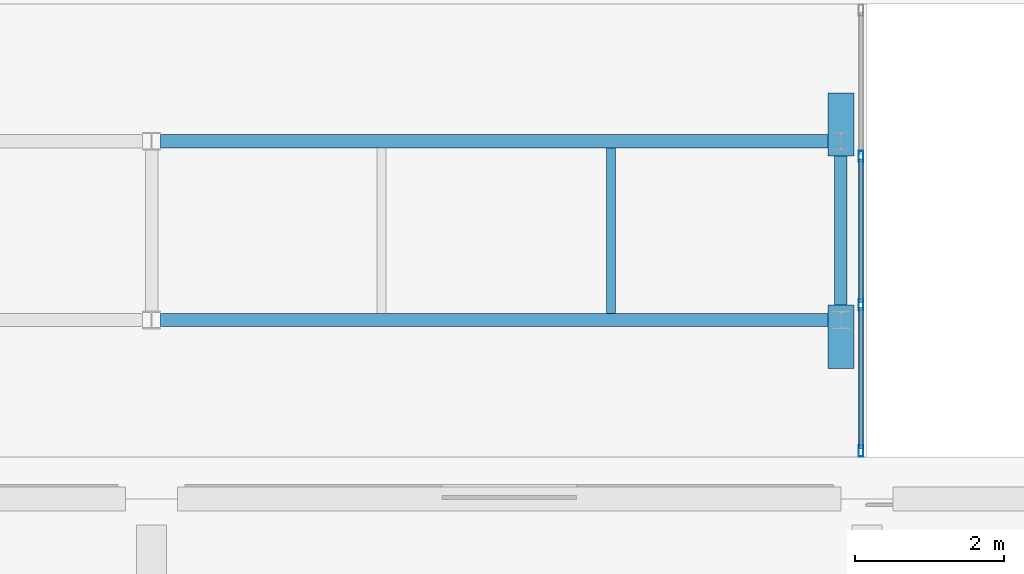
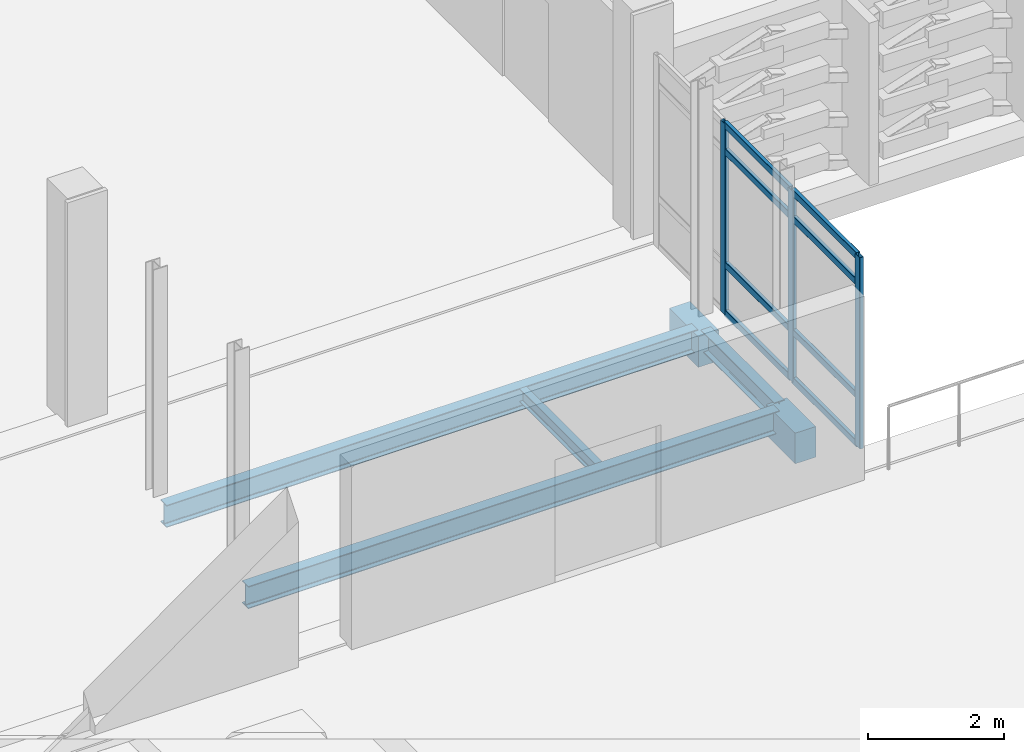
# One storey, part 8 of 134: 11 members, 6 beams, 1 element without a shape of its own.
"""IFC4 building model written with IfcOpenShell, lengths in metres."""

from ifc_helpers import new_model, si_unit, direction, frame, origin, origin_2d, place, context, subcontext, project, spatial, rectangle, hollow_rectangle, i_section, extrude, material, layer, layer_set, material_profile, profile_set, type_object, element, aggregate, save


model = new_model("IFC4")

# Units and contexts
model_context = context("Model", 3, precision=1e-05, world=origin(), true_north=direction((0.0, 1.0)))
body_context = subcontext(model_context, "Body", "Model", "MODEL_VIEW")
ifc_project = project(units=[si_unit("LENGTHUNIT", "METRE"), si_unit("AREAUNIT", "SQUARE_METRE"), si_unit("VOLUMEUNIT", "CUBIC_METRE"), si_unit("PLANEANGLEUNIT", "RADIAN"), si_unit("MASSUNIT", "GRAM", prefix="KILO")], contexts=[model_context])

# Site, building, storey
site_placement = place(None, origin())
site = spatial("IfcSite", under=ifc_project, at=site_placement, CompositionType="ELEMENT")
building_placement = place(site_placement, origin())
building = spatial("IfcBuilding", under=site, at=building_placement, Name="Asteropetra Specialist Clinic", CompositionType="ELEMENT")
storey_placement = place(building_placement, frame((0.0, 0.0, 8.5)))
storey = spatial("IfcBuildingStorey", under=building, at=storey_placement, Name="L02", CompositionType="ELEMENT", Elevation=8.5)

# Beams
ifc_material_1 = material(Name="Concrete C35/45", Category="concrete")
ifc_material_profile_1 = material_profile(ifc_material_1, rectangle(XDim=0.35009765625, YDim=0.550048828125, at=origin_2d()), Name="RCB 350x550")
ifc_profile_set_1 = profile_set([ifc_material_profile_1], Name="Concrete C35/45")
beam_type_1 = type_object("IfcBeamType", Name="BM-RC350x550", PredefinedType="BEAM", material=ifc_profile_set_1)
for number, where, z_axis, x_axis, name in (
    (1, (28.449951171875, 29.0, -0.56005859375), (0.0, -1.0, 0.0), (1.0, 0.0, 0.0), "Bridge Bearing Seat Corbel CRB-07"),
    (2, (28.449951171875, 31.0, -0.56005859375), (0.0, 1.0, 0.0), (-1.0, 0.0, 0.0), "Bridge Bearing Seat Corbel CRB-08"),
):
    element("IfcBeam", number, at=place(storey_placement, frame(where, z_axis=z_axis, x_axis=x_axis)), inside=storey, type_object=beam_type_1, Name=name, PredefinedType="BEAM", context=body_context, shape_type="SweptSolid", body=[
        extrude(rectangle(XDim=0.35009765625, YDim=0.550048828125, at=origin_2d()), origin(), (0.0, 0.0, 1.0), 0.85009765625),
    ])
ifc_material_2 = material(Name="Steel S355", Category="steel")
ifc_material_profile_2 = material_profile(ifc_material_2, i_section(OverallWidth=0.169921875, OverallDepth=0.360107421875, WebThickness=0.008056640625, FlangeThickness=0.0126953125, FilletRadius=0.01806640625, at=origin_2d()), Name="IPE 360")
ifc_profile_set_2 = profile_set([ifc_material_profile_2], Name="Steel S355")
beam_type_2 = type_object("IfcBeamType", Name="BM-STL-IPE360", PredefinedType="BEAM", material=ifc_profile_set_2)
beam_1_placement = place(storey_placement, frame((28.449951171875, 28.919921875, -0.419921875), z_axis=(0.0, 1.0, 0.0), x_axis=(-1.0, 0.0, 0.0)))
element("IfcBeam", 3, at=beam_1_placement, inside=storey, type_object=beam_type_2, Name="Beam BBMS4-1338", PredefinedType="BEAM", context=body_context, shape_type="SweptSolid", body=[
    extrude(i_section(OverallWidth=0.169921875, OverallDepth=0.360107421875, WebThickness=0.008056640625, FlangeThickness=0.0126953125, FilletRadius=0.01806640625, at=origin_2d()), origin(), (0.0, 0.0, 1.0), 2.16015625),
])
ifc_material_3 = material(Name="Steel S355", Category="steel")
ifc_material_profile_3 = material_profile(ifc_material_3, i_section(OverallWidth=0.179931640625, OverallDepth=0.39990234375, WebThickness=0.008544921875, FlangeThickness=0.013427734375, FilletRadius=0.02099609375, at=origin_2d()), Name="IPE 400")
ifc_profile_set_3 = profile_set([ifc_material_profile_3], Name="Steel S355")
beam_type_3 = type_object("IfcBeamType", Name="BM-STL-IPE400", PredefinedType="BEAM", material=ifc_profile_set_3)
for number, where, z_axis, x_axis, name in (
    (4, (19.320068359375, 28.800048828125, -0.43994140625), (1.0, 0.0, 0.0), (0.0, 1.0, 0.0), "Beam BBMS3-1333"),
    (5, (19.320068359375, 31.199951171875, -0.43994140625), (1.0, 0.0, 0.0), (0.0, 1.0, 0.0), "Beam BBMS3-1335"),
):
    element("IfcBeam", number, at=place(storey_placement, frame(where, z_axis=z_axis, x_axis=x_axis)), inside=storey, type_object=beam_type_3, Name=name, PredefinedType="BEAM", context=body_context, shape_type="SweptSolid", body=[
        extrude(i_section(OverallWidth=0.179931640625, OverallDepth=0.39990234375, WebThickness=0.008544921875, FlangeThickness=0.013427734375, FilletRadius=0.02099609375, at=origin_2d()), origin(), (0.0, 0.0, 1.0), 9.010009765625),
    ])

# Curtain wall, members
ifc_material_4 = material(Name="Aluminium and low-E glass", Category="aluminium")
ifc_layer = layer(ifc_material_4, 0.14990234375)
ifc_layer_set = layer_set([ifc_layer], Name="Aluminium and low-E glass")
curtain_wall_type = type_object("IfcCurtainWallType", Name="CW-SYS-08", PredefinedType="USERDEFINED", material=ifc_layer_set)
curtain_wall_placement = place(storey_placement, origin())
curtain_wall = element("IfcCurtainWall", 6, at=curtain_wall_placement, inside=storey, type_object=curtain_wall_type, Name="Curtain Wall CW-100", ObjectType="STICK GLAZED COLONNADE", PredefinedType="USERDEFINED")
ifc_material_5 = material(Name="Aluminium 6063-T6", Category="aluminium")
ifc_material_profile_4 = material_profile(ifc_material_5, hollow_rectangle(XDim=0.06494140625, YDim=0.14990234375, WallThickness=0.00390625, InnerFilletRadius=0.00390625, OuterFilletRadius=0.008056640625, at=origin_2d()), Name="MUL 150x65x4.0")
ifc_profile_set_4 = profile_set([ifc_material_profile_4], Name="Aluminium 6063-T6")
member_type_1 = type_object("IfcMemberType", Name="CWM-150x65", PredefinedType="MULLION", material=ifc_profile_set_4)
member_1_placement = place(storey_placement, frame((28.719970703125, 30.99658203125, 0.0), z_axis=(0.0, 0.0, 1.0), x_axis=(1.0, 0.0, 0.0)))
member_1 = element("IfcMember", 7, at=member_1_placement, type_object=member_type_1, Name="CW-100 mullion 2", PredefinedType="MULLION", context=body_context, shape_type="SweptSolid", body=[
    extrude(hollow_rectangle(XDim=0.06494140625, YDim=0.14990234375, WallThickness=0.00390625, InnerFilletRadius=0.00390625, OuterFilletRadius=0.008056640625, at=origin_2d()), origin(), (0.0, 0.0, 1.0), 3.429931640625),
])
member_2_placement = place(storey_placement, frame((28.719970703125, 29.00341796875, 0.0), z_axis=(0.0, 0.0, 1.0), x_axis=(1.0, 0.0, 0.0)))
member_2 = element("IfcMember", 8, at=member_2_placement, type_object=member_type_1, Name="CW-100 mullion 3", PredefinedType="MULLION", context=body_context, shape_type="SweptSolid", body=[
    extrude(hollow_rectangle(XDim=0.06494140625, YDim=0.14990234375, WallThickness=0.00390625, InnerFilletRadius=0.00390625, OuterFilletRadius=0.008056640625, at=origin_2d()), origin(), (0.0, 0.0, 1.0), 3.429931640625),
])
member_3_placement = place(storey_placement, frame((28.719970703125, 27.04248046875, 0.0), z_axis=(0.0, 0.0, 1.0), x_axis=(1.0, 0.0, 0.0)))
member_3 = element("IfcMember", 9, at=member_3_placement, type_object=member_type_1, Name="CW-100 mullion 4", PredefinedType="MULLION", context=body_context, shape_type="SweptSolid", body=[
    extrude(hollow_rectangle(XDim=0.06494140625, YDim=0.14990234375, WallThickness=0.00390625, InnerFilletRadius=0.00390625, OuterFilletRadius=0.008056640625, at=origin_2d()), origin(), (0.0, 0.0, 1.0), 3.429931640625),
])
ifc_material_6 = material(Name="Aluminium 6063-T6", Category="aluminium")
ifc_material_profile_5 = material_profile(ifc_material_6, hollow_rectangle(XDim=0.06494140625, YDim=0.1201171875, WallThickness=0.00390625, InnerFilletRadius=0.00390625, OuterFilletRadius=0.008056640625, at=origin_2d()), Name="TRN 120x65x4.0")
ifc_profile_set_5 = profile_set([ifc_material_profile_5], Name="Aluminium 6063-T6")
member_type_2 = type_object("IfcMemberType", Name="CWT-120x65", PredefinedType="USERDEFINED", material=ifc_profile_set_5)
member_4_placement = place(storey_placement, frame((28.719970703125, 30.964111328125, 0.032470703125), z_axis=(0.0, -1.0, 0.0), x_axis=(1.0, 0.0, 0.0)))
member_4 = element("IfcMember", 10, at=member_4_placement, type_object=member_type_2, Name="CW-100 transom 2.1", ObjectType="TRANSOM", PredefinedType="USERDEFINED", context=body_context, shape_type="SweptSolid", body=[
    extrude(hollow_rectangle(XDim=0.06494140625, YDim=0.1201171875, WallThickness=0.00390625, InnerFilletRadius=0.00390625, OuterFilletRadius=0.008056640625, at=origin_2d()), origin(), (0.0, 0.0, 1.0), 1.92822265625),
])
member_5_placement = place(storey_placement, frame((28.719970703125, 30.964111328125, 0.89990234375), z_axis=(0.0, -1.0, 0.0), x_axis=(1.0, 0.0, 0.0)))
member_5 = element("IfcMember", 11, at=member_5_placement, type_object=member_type_2, Name="CW-100 transom 2.2", ObjectType="TRANSOM", PredefinedType="USERDEFINED", context=body_context, shape_type="SweptSolid", body=[
    extrude(hollow_rectangle(XDim=0.06494140625, YDim=0.1201171875, WallThickness=0.00390625, InnerFilletRadius=0.00390625, OuterFilletRadius=0.008056640625, at=origin_2d()), origin(), (0.0, 0.0, 1.0), 1.92822265625),
])
member_6_placement = place(storey_placement, frame((28.719970703125, 30.964111328125, 2.929931640625), z_axis=(0.0, -1.0, 0.0), x_axis=(1.0, 0.0, 0.0)))
member_6 = element("IfcMember", 12, at=member_6_placement, type_object=member_type_2, Name="CW-100 transom 2.3", ObjectType="TRANSOM", PredefinedType="USERDEFINED", context=body_context, shape_type="SweptSolid", body=[
    extrude(hollow_rectangle(XDim=0.06494140625, YDim=0.1201171875, WallThickness=0.00390625, InnerFilletRadius=0.00390625, OuterFilletRadius=0.008056640625, at=origin_2d()), origin(), (0.0, 0.0, 1.0), 1.92822265625),
])
member_7_placement = place(storey_placement, frame((28.719970703125, 30.964111328125, 3.3974609375), z_axis=(0.0, -1.0, 0.0), x_axis=(1.0, 0.0, 0.0)))
member_7 = element("IfcMember", 13, at=member_7_placement, type_object=member_type_2, Name="CW-100 transom 2.4", ObjectType="TRANSOM", PredefinedType="USERDEFINED", context=body_context, shape_type="SweptSolid", body=[
    extrude(hollow_rectangle(XDim=0.06494140625, YDim=0.1201171875, WallThickness=0.00390625, InnerFilletRadius=0.00390625, OuterFilletRadius=0.008056640625, at=origin_2d()), origin(), (0.0, 0.0, 1.0), 1.92822265625),
])
member_8_placement = place(storey_placement, frame((28.719970703125, 28.970947265625, 0.032470703125), z_axis=(0.0, -1.0, 0.0), x_axis=(1.0, 0.0, 0.0)))
member_8 = element("IfcMember", 14, at=member_8_placement, type_object=member_type_2, Name="CW-100 transom 3.1", ObjectType="TRANSOM", PredefinedType="USERDEFINED", context=body_context, shape_type="SweptSolid", body=[
    extrude(hollow_rectangle(XDim=0.06494140625, YDim=0.1201171875, WallThickness=0.00390625, InnerFilletRadius=0.00390625, OuterFilletRadius=0.008056640625, at=origin_2d()), origin(), (0.0, 0.0, 1.0), 1.89599609375),
])
member_9_placement = place(storey_placement, frame((28.719970703125, 28.970947265625, 0.89990234375), z_axis=(0.0, -1.0, 0.0), x_axis=(1.0, 0.0, 0.0)))
member_9 = element("IfcMember", 15, at=member_9_placement, type_object=member_type_2, Name="CW-100 transom 3.2", ObjectType="TRANSOM", PredefinedType="USERDEFINED", context=body_context, shape_type="SweptSolid", body=[
    extrude(hollow_rectangle(XDim=0.06494140625, YDim=0.1201171875, WallThickness=0.00390625, InnerFilletRadius=0.00390625, OuterFilletRadius=0.008056640625, at=origin_2d()), origin(), (0.0, 0.0, 1.0), 1.89599609375),
])
member_10_placement = place(storey_placement, frame((28.719970703125, 28.970947265625, 2.929931640625), z_axis=(0.0, -1.0, 0.0), x_axis=(1.0, 0.0, 0.0)))
member_10 = element("IfcMember", 16, at=member_10_placement, type_object=member_type_2, Name="CW-100 transom 3.3", ObjectType="TRANSOM", PredefinedType="USERDEFINED", context=body_context, shape_type="SweptSolid", body=[
    extrude(hollow_rectangle(XDim=0.06494140625, YDim=0.1201171875, WallThickness=0.00390625, InnerFilletRadius=0.00390625, OuterFilletRadius=0.008056640625, at=origin_2d()), origin(), (0.0, 0.0, 1.0), 1.89599609375),
])
member_11_placement = place(storey_placement, frame((28.719970703125, 28.970947265625, 3.3974609375), z_axis=(0.0, -1.0, 0.0), x_axis=(1.0, 0.0, 0.0)))
member_11 = element("IfcMember", 17, at=member_11_placement, type_object=member_type_2, Name="CW-100 transom 3.4", ObjectType="TRANSOM", PredefinedType="USERDEFINED", context=body_context, shape_type="SweptSolid", body=[
    extrude(hollow_rectangle(XDim=0.06494140625, YDim=0.1201171875, WallThickness=0.00390625, InnerFilletRadius=0.00390625, OuterFilletRadius=0.008056640625, at=origin_2d()), origin(), (0.0, 0.0, 1.0), 1.89599609375),
])
aggregate(curtain_wall, [member_1, member_2, member_3, member_4, member_5, member_6, member_7, member_8, member_9, member_10, member_11])

# Beam
ifc_material_7 = material(Name="Steel S355", Category="steel")
ifc_material_profile_6 = material_profile(ifc_material_7, i_section(OverallWidth=0.1201171875, OverallDepth=0.239990234375, WebThickness=0.006103515625, FlangeThickness=0.009765625, FilletRadius=0.014892578125, at=origin_2d()), Name="IPE 240")
ifc_profile_set_6 = profile_set([ifc_material_profile_6], Name="Steel S355")
beam_type_4 = type_object("IfcBeamType", Name="JST-STL-IPE240", PredefinedType="JOIST", material=ifc_profile_set_6)
beam_2_placement = place(storey_placement, frame((25.36669921875, 28.889892578125, -0.360107421875), z_axis=(0.0, 1.0, 0.0), x_axis=(-1.0, 0.0, 0.0)))
element("IfcBeam", 18, at=beam_2_placement, inside=storey, type_object=beam_type_4, Name="Joist JJSTS1-1342", PredefinedType="JOIST", context=body_context, shape_type="SweptSolid", body=[
    extrude(i_section(OverallWidth=0.1201171875, OverallDepth=0.239990234375, WebThickness=0.006103515625, FlangeThickness=0.009765625, FilletRadius=0.014892578125, at=origin_2d()), origin(), (0.0, 0.0, 1.0), 2.22021484375),
])

save(model, "model.ifc")
